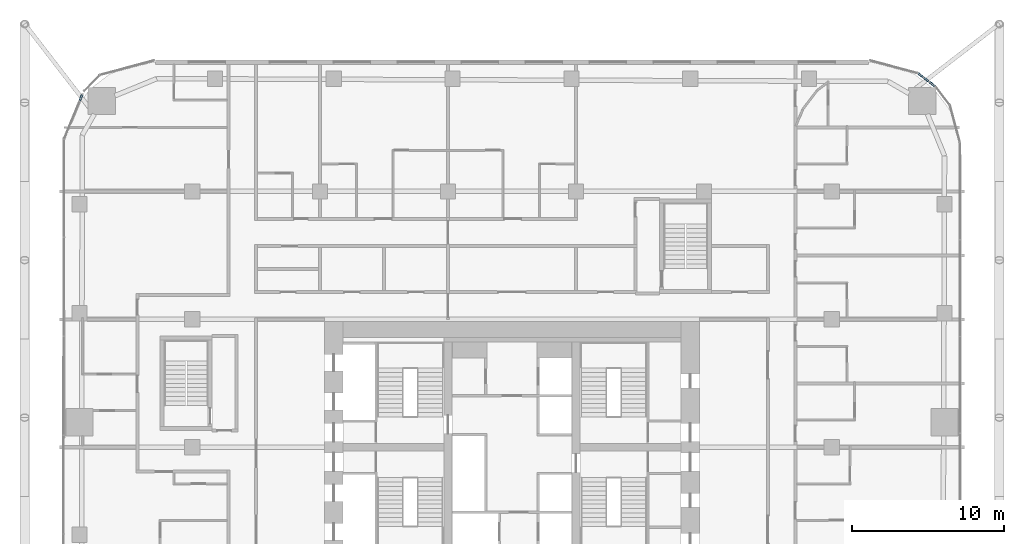
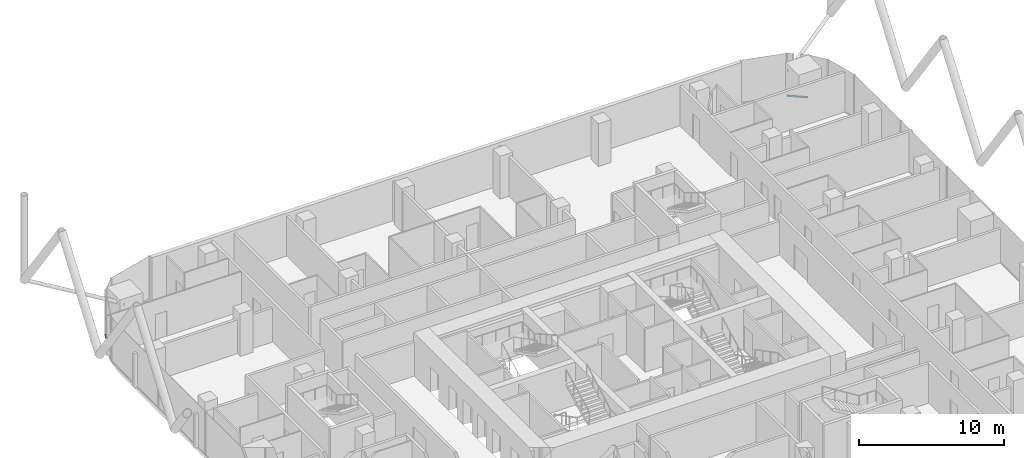
# One storey, part 17 of 34: 4 members, 4 elements without a shape of their own.
"""IFC4 building model written with IfcOpenShell, lengths in metres."""

from ifc_helpers import new_model, si_unit, direction, frame, origin, origin_2d, place, context, subcontext, project, spatial, rectangle, extrude, material, layer, layer_set, material_profile, profile_set, type_object, element, aggregate, save


model = new_model("IFC4")

# Units and contexts
model_context = context("Model", 3, precision=1e-05, world=origin(), true_north=direction((0.0, 1.0)))
body_context = subcontext(model_context, "Body", "Model", "MODEL_VIEW")
ifc_project = project(units=[si_unit("LENGTHUNIT", "METRE"), si_unit("AREAUNIT", "SQUARE_METRE"), si_unit("VOLUMEUNIT", "CUBIC_METRE"), si_unit("PLANEANGLEUNIT", "RADIAN"), si_unit("MASSUNIT", "GRAM", prefix="KILO")], contexts=[model_context])

# Site, building, storey
site_placement = place(None, origin())
site = spatial("IfcSite", under=ifc_project, at=site_placement, CompositionType="ELEMENT")
building_placement = place(site_placement, origin())
building = spatial("IfcBuilding", under=site, at=building_placement, Name="Marenta Gate Hotel Tower", CompositionType="ELEMENT")
storey_placement = place(building_placement, frame((0.0, 0.0, 47.300048828125)))
storey = spatial("IfcBuildingStorey", under=building, at=storey_placement, Name="L09", CompositionType="ELEMENT", Elevation=47.300048828125)

# Curtain wall, member
ifc_material_1 = material(Name="Tinted insulated glass in bronze anodised frame", Category="glass")
ifc_layer = layer(ifc_material_1, 0.1201171875)
ifc_layer_set = layer_set([ifc_layer], Name="Tinted insulated glass in bronze anodised frame")
curtain_wall_type = type_object("IfcCurtainWallType", Name="Tower unitised curtain wall CW1", PredefinedType="NOTDEFINED", material=ifc_layer_set)
curtain_wall_1_placement = place(storey_placement, origin())
curtain_wall_1 = element("IfcCurtainWall", 1, at=curtain_wall_1_placement, inside=storey, type_object=curtain_wall_type, Name="CW1 run G02", PredefinedType="NOTDEFINED")
ifc_material_2 = material(Name="Bronze anodised aluminium", Category="aluminium")
ifc_material_profile = material_profile(ifc_material_2, rectangle(XDim=0.1201171875, YDim=0.06005859375, at=origin_2d()), Name="Transom CW1 60x120 bronze anodised aluminium")
ifc_profile_set = profile_set([ifc_material_profile], Name="Bronze anodised aluminium")
member_type = type_object("IfcMemberType", Name="Transom CW1 60x120 bronze anodised aluminium", PredefinedType="USERDEFINED", material=ifc_profile_set)
member_1_placement = place(storey_placement, frame((-28.208984375, 31.5712890625, 0.030029296875), z_axis=(-0.382927081121, -0.923778572248, 0.0), x_axis=(0.923778572248, -0.382927081121, 0.0)))
member_1 = element("IfcMember", 2, at=member_1_placement, type_object=member_type, Name="CW1 transom 1.1", ObjectType="TRANSOM", PredefinedType="USERDEFINED", context=body_context, shape_type="SweptSolid", body=[
    extrude(rectangle(XDim=0.1201171875, YDim=0.06005859375, at=origin_2d()), origin(), (0.0, 0.0, 1.0), 0.462158203125),
])
aggregate(curtain_wall_1, [member_1])

curtain_wall_2_placement = place(storey_placement, origin())
curtain_wall_2 = element("IfcCurtainWall", 3, at=curtain_wall_2_placement, inside=storey, type_object=curtain_wall_type, Name="CW1 run G21", PredefinedType="NOTDEFINED")
member_2_placement = place(storey_placement, frame((27.7978515625, 32.08203125, 0.030029296875), z_axis=(-0.793224248978, 0.60892962716, 0.0), x_axis=(-0.60892962716, -0.793224248978, 0.0)))
member_2 = element("IfcMember", 4, at=member_2_placement, type_object=member_type, Name="CW1 transom 1.1", ObjectType="TRANSOM", PredefinedType="USERDEFINED", context=body_context, shape_type="SweptSolid", body=[
    extrude(rectangle(XDim=0.1201171875, YDim=0.06005859375, at=origin_2d()), origin(), (0.0, 0.0, 1.0), 0.483642578125),
])
aggregate(curtain_wall_2, [member_2])

curtain_wall_3_placement = place(storey_placement, origin())
curtain_wall_3 = element("IfcCurtainWall", 5, at=curtain_wall_3_placement, inside=storey, type_object=curtain_wall_type, Name="CW1 run G22", PredefinedType="NOTDEFINED")
member_3_placement = place(storey_placement, frame((27.36669921875, 32.412841796875, 0.030029296875), z_axis=(-0.793356294792, 0.608757578609, 0.0), x_axis=(-0.608757578609, -0.793356294792, 0.0)))
member_3 = element("IfcMember", 6, at=member_3_placement, type_object=member_type, Name="CW1 transom 1.1", ObjectType="TRANSOM", PredefinedType="USERDEFINED", context=body_context, shape_type="SweptSolid", body=[
    extrude(rectangle(XDim=0.1201171875, YDim=0.06005859375, at=origin_2d()), origin(), (0.0, 0.0, 1.0), 0.40869140625),
])
aggregate(curtain_wall_3, [member_3])

curtain_wall_4_placement = place(storey_placement, origin())
curtain_wall_4 = element("IfcCurtainWall", 7, at=curtain_wall_4_placement, inside=storey, type_object=curtain_wall_type, Name="CW1 run G23", PredefinedType="NOTDEFINED")
member_4_placement = place(storey_placement, frame((26.994873046875, 32.6982421875, 0.030029296875), z_axis=(-0.793256562422, 0.60888753163, 0.0), x_axis=(-0.60888753163, -0.793256562422, 0.0)))
member_4 = element("IfcMember", 8, at=member_4_placement, type_object=member_type, Name="CW1 transom 1.1", ObjectType="TRANSOM", PredefinedType="USERDEFINED", context=body_context, shape_type="SweptSolid", body=[
    extrude(rectangle(XDim=0.1201171875, YDim=0.06005859375, at=origin_2d()), origin(), (0.0, 0.0, 1.0), 0.415771484375),
])
aggregate(curtain_wall_4, [member_4])

save(model, "model.ifc")
